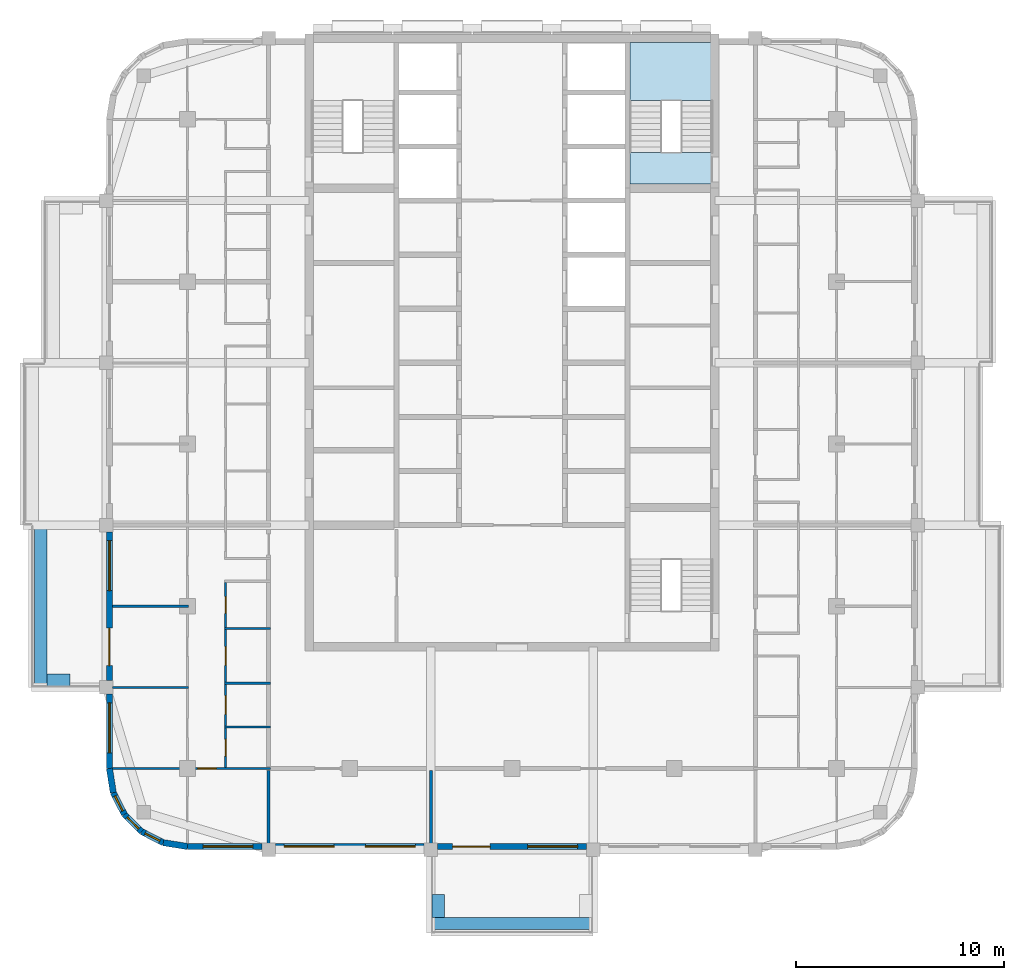
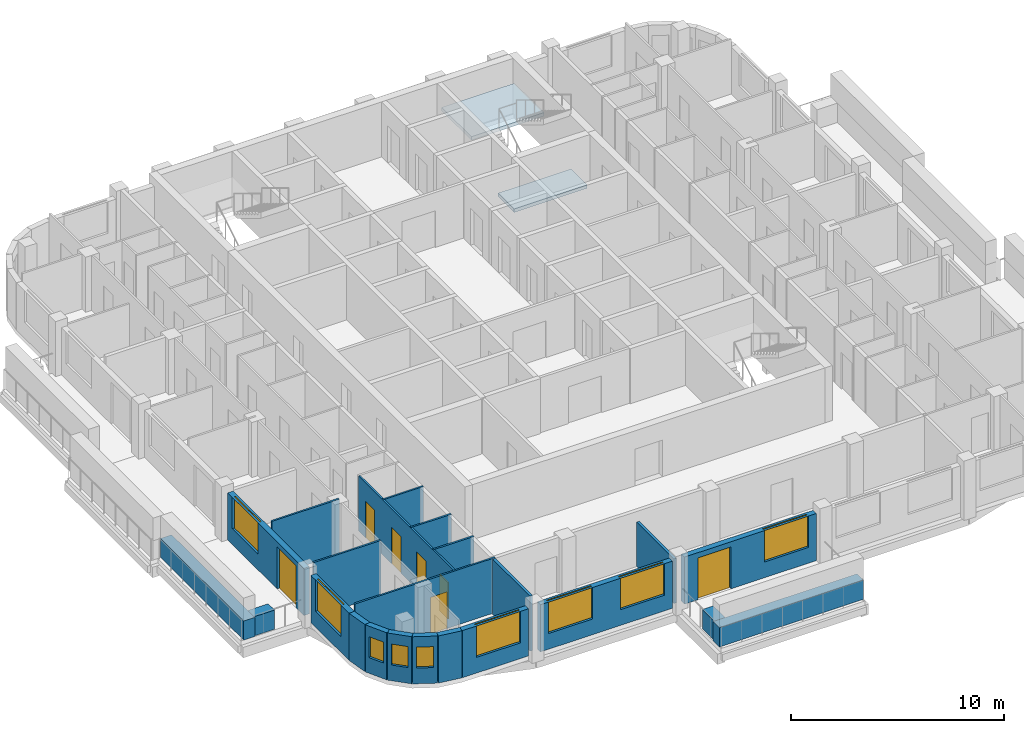
# One storey, part 2 of 13: 23 walls, 9 windows, 7 doors, 2 slabs, 16 openings, 1 element without a shape of its own.
"""IFC4 building model written with IfcOpenShell, lengths in metres."""

from ifc_helpers import new_model, si_unit, direction, frame, frame_2d, origin, place, context, subcontext, project, spatial, polyline, rectangle, outline, extrude, material, layer, layer_set, type_object, element, fill, aggregate, save


model = new_model("IFC4")

# Units and contexts
model_context = context("Model", 3, precision=1e-05, world=origin(), true_north=direction((0.0, 1.0)))
body_context = subcontext(model_context, "Body", "Model", "MODEL_VIEW")
ifc_project = project(units=[si_unit("LENGTHUNIT", "METRE"), si_unit("AREAUNIT", "SQUARE_METRE"), si_unit("VOLUMEUNIT", "CUBIC_METRE"), si_unit("PLANEANGLEUNIT", "RADIAN"), si_unit("MASSUNIT", "GRAM", prefix="KILO")], contexts=[model_context])

# Site, building, storey
site_placement = place(None, origin())
site = spatial("IfcSite", under=ifc_project, at=site_placement, CompositionType="ELEMENT")
building_placement = place(site_placement, origin())
building = spatial("IfcBuilding", under=site, at=building_placement, Name="Ludao Terraces", CompositionType="ELEMENT")
storey_placement = place(building_placement, frame((0.0, 0.0, 252.800048828125)))
storey = spatial("IfcBuildingStorey", under=building, at=storey_placement, Name="L69", CompositionType="ELEMENT", Elevation=252.800048828125)

# Stair, slabs
ifc_material_1 = material(Name="Concrete C40", Category="concrete")
stair_type = type_object("IfcStairType", Name="INT Stair", PredefinedType="HALF_TURN_STAIR", material=ifc_material_1)
stair_placement = place(storey_placement, origin())
stair = element("IfcStair", 1, at=stair_placement, inside=storey, type_object=stair_type, Name="EXIT STAIR 2", PredefinedType="HALF_TURN_STAIR")
ifc_layer_1 = layer(ifc_material_1, 0.199951171875)
ifc_layer_set_1 = layer_set([ifc_layer_1], Name="INT Stair landing 200")
slab_type = type_object("IfcSlabType", Name="INT Stair landing 200", PredefinedType="LANDING", material=ifc_layer_set_1)
slab_1_placement = place(storey_placement, frame((0.0, 0.0, 1.5)))
slab_1 = element("IfcSlab", 2, at=slab_1_placement, type_object=slab_type, Name="ST2 landing 1", PredefinedType="LANDING", context=body_context, shape_type="SweptSolid", body=[
    extrude(outline(polyline([(90.675048828125, 81.52001953125), (94.625, 81.52001953125), (94.625, 84.300048828125), (90.675048828125, 84.300048828125), (90.675048828125, 81.52001953125)])), origin(), (0.0, 0.0, 1.0), 0.199951171875),
])
slab_2_placement = place(storey_placement, frame((0.0, 0.0, -0.199951171875)))
slab_2 = element("IfcSlab", 3, at=slab_2_placement, type_object=slab_type, Name="ST2 landing 2", PredefinedType="LANDING", context=body_context, shape_type="SweptSolid", body=[
    extrude(outline(polyline([(90.675048828125, 77.5), (94.625, 77.5), (94.625, 79.0), (90.675048828125, 79.0), (90.675048828125, 77.5)])), origin(), (0.0, 0.0, 1.0), 0.199951171875),
])
aggregate(stair, [slab_1, slab_2])

# Walls
ifc_layer_2 = layer(ifc_material_1, 0.60009765625)
ifc_layer_set_2 = layer_set([ifc_layer_2], Name="ENV Planter trough 600")
wall_type_1 = type_object("IfcWallType", Name="ENV Planter trough 600", PredefinedType="USERDEFINED", material=ifc_layer_set_2)
wall_1_placement = place(storey_placement, frame((81.10009765625, 41.949951171875, 0.0), z_axis=(0.0, 0.0, 1.0), x_axis=(1.0, 0.0, 0.0)))
element("IfcWall", 4, at=wall_1_placement, inside=storey, type_object=wall_type_1, Name="PL-L69-S1", ObjectType="PLANTER", PredefinedType="USERDEFINED", context=body_context, shape_type="SweptSolid", body=[
    extrude(rectangle(XDim=7.7998046875, YDim=0.60009765625, at=frame_2d((3.89990234375, 0.0))), origin(), (0.0, 0.0, 1.0), 1.099853515625),
])
wall_2_placement = place(storey_placement, frame((81.449951171875, 42.25, 0.0), z_axis=(0.0, 0.0, 1.0), x_axis=(0.0, 1.0, 0.0)))
element("IfcWall", 5, at=wall_2_placement, inside=storey, type_object=wall_type_1, Name="PL-L69-S1-SA", ObjectType="PLANTER", PredefinedType="USERDEFINED", context=body_context, shape_type="SweptSolid", body=[
    extrude(rectangle(XDim=1.10009765625, YDim=0.60009765625, at=frame_2d((0.550048828125, 0.0))), origin(), (0.0, 0.0, 1.0), 1.099853515625),
])
wall_3_placement = place(storey_placement, frame((62.35009765625, 53.300048828125, 0.0), z_axis=(0.0, 0.0, 1.0), x_axis=(0.0, 1.0, 0.0)))
element("IfcWall", 6, at=wall_3_placement, inside=storey, type_object=wall_type_1, Name="PL-L69-W1", ObjectType="PLANTER", PredefinedType="USERDEFINED", context=body_context, shape_type="SweptSolid", body=[
    extrude(rectangle(XDim=7.800048828125, YDim=0.60009765625, at=frame_2d((3.89990234375, 0.0))), origin(), (0.0, 0.0, 1.0), 1.099853515625),
])
wall_4_placement = place(storey_placement, frame((62.64990234375, 53.64990234375, 0.0), z_axis=(0.0, 0.0, 1.0), x_axis=(1.0, 0.0, 0.0)))
element("IfcWall", 7, at=wall_4_placement, inside=storey, type_object=wall_type_1, Name="PL-L69-W1-SA", ObjectType="PLANTER", PredefinedType="USERDEFINED", context=body_context, shape_type="SweptSolid", body=[
    extrude(rectangle(XDim=1.10009765625, YDim=0.60009765625, at=frame_2d((0.550048828125, 0.0))), origin(), (0.0, 0.0, 1.0), 1.099853515625),
])

# Wall, opening, window
ifc_material_2 = material(Name="Granite cladding", Category="masonry")
ifc_layer_3 = layer(ifc_material_2, 0.0400390625, Category="stone")
ifc_material_3 = material(Name="Mineral wool")
ifc_layer_4 = layer(ifc_material_3, 0.06005859375)
ifc_layer_5 = layer(ifc_material_1, 0.199951171875, Category="concrete")
ifc_layer_set_3 = layer_set([ifc_layer_3, ifc_layer_4, ifc_layer_5], Name="ENV Stone-clad wall 300")
wall_type_2 = type_object("IfcWallType", Name="ENV Stone-clad wall 300", PredefinedType="SOLIDWALL", material=ifc_layer_set_3)
wall_5_placement = place(storey_placement, frame((69.39990234375, 45.64990234375, 0.0), z_axis=(0.0, 0.0, 1.0), x_axis=(1.0, 0.0, 0.0)))
wall_5 = element("IfcWall", 8, at=wall_5_placement, inside=storey, type_object=wall_type_2, Name="EW-L69-S1", PredefinedType="SOLIDWALL", context=body_context, shape_type="SweptSolid", body=[
    extrude(rectangle(XDim=3.5751953125, YDim=0.300048828125, at=frame_2d((1.78759765625, 0.0))), origin(), (0.0, 0.0, 1.0), 2.699951171875),
])
opening_1_placement = place(wall_5_placement, frame((0.75, 0.0, 0.89990234375)))
opening_1 = element("IfcOpeningElement", 9, at=opening_1_placement, cuts=wall_5, Name="Opening W1", PredefinedType="OPENING", context=body_context, shape_type="SweptSolid", body=[
    extrude(rectangle(XDim=2.39990234375, YDim=1.800048828125, at=frame_2d((1.199951171875, 0.89990234375))), frame((0.0, 0.16015625, 0.0), z_axis=(0.0, -1.0, 0.0), x_axis=(1.0, 0.0, 0.0)), (0.0, 0.0, 1.0), 0.320068359375),
])
ifc_material_4 = material(Name="Clear glass in aluminium frame", Category="aluminium")
ifc_layer_6 = layer(ifc_material_4, 0.06005859375)
ifc_layer_set_4 = layer_set([ifc_layer_6], Name="ENV Window W1 2400x1800")
window_type_1 = type_object("IfcWindowType", Name="ENV Window W1 2400x1800", PartitioningType="DOUBLE_PANEL_VERTICAL", PredefinedType="WINDOW", material=ifc_layer_set_4)
window_1_placement = place(opening_1_placement, origin())
window_1 = element("IfcWindow", 10, at=window_1_placement, inside=storey, type_object=window_type_1, Name="W-L69-S1-1", OverallHeight=1.800048828125, OverallWidth=2.39990234375, PartitioningType="DOUBLE_PANEL_VERTICAL", PredefinedType="WINDOW", context=body_context, shape_type="SweptSolid", body=[
    extrude(rectangle(XDim=2.39990234375, YDim=1.800048828125, at=frame_2d((1.199951171875, 0.89990234375))), frame((0.0, 0.030029296875, 0.0), z_axis=(0.0, -1.0, 0.0), x_axis=(1.0, 0.0, 0.0)), (0.0, 0.0, 1.0), 0.06005859375),
])
fill(opening_1, window_1)

# Wall, openings, windows
wall_6_placement = place(storey_placement, frame((73.625, 45.64990234375, 0.0), z_axis=(0.0, 0.0, 1.0), x_axis=(1.0, 0.0, 0.0)))
wall_6 = element("IfcWall", 11, at=wall_6_placement, inside=storey, type_object=wall_type_2, Name="EW-L69-S2", PredefinedType="SOLIDWALL", context=body_context, shape_type="SweptSolid", body=[
    extrude(rectangle(XDim=7.14990234375, YDim=0.300048828125, at=frame_2d((3.574951171875, 0.0))), origin(), (0.0, 0.0, 1.0), 2.699951171875),
])
opening_2_placement = place(wall_6_placement, frame((0.425048828125, 0.0, 0.89990234375)))
opening_2 = element("IfcOpeningElement", 12, at=opening_2_placement, cuts=wall_6, Name="Opening W1", PredefinedType="OPENING", context=body_context, shape_type="SweptSolid", body=[
    extrude(rectangle(XDim=2.39990234375, YDim=1.800048828125, at=frame_2d((1.199951171875, 0.89990234375))), frame((0.0, 0.16015625, 0.0), z_axis=(0.0, -1.0, 0.0), x_axis=(1.0, 0.0, 0.0)), (0.0, 0.0, 1.0), 0.320068359375),
])
opening_3_placement = place(wall_6_placement, frame((4.324951171875, 0.0, 0.89990234375)))
opening_3 = element("IfcOpeningElement", 13, at=opening_3_placement, cuts=wall_6, Name="Opening W1", PredefinedType="OPENING", context=body_context, shape_type="SweptSolid", body=[
    extrude(rectangle(XDim=2.39990234375, YDim=1.800048828125, at=frame_2d((1.199951171875, 0.89990234375))), frame((0.0, 0.16015625, 0.0), z_axis=(0.0, -1.0, 0.0), x_axis=(1.0, 0.0, 0.0)), (0.0, 0.0, 1.0), 0.320068359375),
])
window_2_placement = place(opening_2_placement, origin())
window_2 = element("IfcWindow", 14, at=window_2_placement, inside=storey, type_object=window_type_1, Name="W-L69-S2-1", OverallHeight=1.800048828125, OverallWidth=2.39990234375, PartitioningType="DOUBLE_PANEL_VERTICAL", PredefinedType="WINDOW", context=body_context, shape_type="SweptSolid", body=[
    extrude(rectangle(XDim=2.39990234375, YDim=1.800048828125, at=frame_2d((1.199951171875, 0.89990234375))), frame((0.0, 0.030029296875, 0.0), z_axis=(0.0, -1.0, 0.0), x_axis=(1.0, 0.0, 0.0)), (0.0, 0.0, 1.0), 0.06005859375),
])
fill(opening_2, window_2)
window_3_placement = place(opening_3_placement, origin())
window_3 = element("IfcWindow", 15, at=window_3_placement, inside=storey, type_object=window_type_1, Name="W-L69-S2-2", OverallHeight=1.800048828125, OverallWidth=2.39990234375, PartitioningType="DOUBLE_PANEL_VERTICAL", PredefinedType="WINDOW", context=body_context, shape_type="SweptSolid", body=[
    extrude(rectangle(XDim=2.39990234375, YDim=1.800048828125, at=frame_2d((1.199951171875, 0.89990234375))), frame((0.0, 0.030029296875, 0.0), z_axis=(0.0, -1.0, 0.0), x_axis=(1.0, 0.0, 0.0)), (0.0, 0.0, 1.0), 0.06005859375),
])
fill(opening_3, window_3)

# Wall, openings, door, window
wall_7_placement = place(storey_placement, frame((81.425048828125, 45.64990234375, 0.0), z_axis=(0.0, 0.0, 1.0), x_axis=(1.0, 0.0, 0.0)))
wall_7 = element("IfcWall", 16, at=wall_7_placement, inside=storey, type_object=wall_type_2, Name="EW-L69-S3", PredefinedType="SOLIDWALL", context=body_context, shape_type="SweptSolid", body=[
    extrude(rectangle(XDim=7.14990234375, YDim=0.300048828125, at=frame_2d((3.574951171875, 0.0))), origin(), (0.0, 0.0, 1.0), 2.699951171875),
])
opening_4_placement = place(wall_7_placement, frame((0.72509765625, 0.0, 0.0)))
opening_4 = element("IfcOpeningElement", 17, at=opening_4_placement, cuts=wall_7, Name="Opening BD", PredefinedType="OPENING", context=body_context, shape_type="SweptSolid", body=[
    extrude(rectangle(XDim=1.800048828125, YDim=2.39990234375, at=frame_2d((0.89990234375, 1.199951171875))), frame((0.0, 0.16015625, 0.0), z_axis=(0.0, -1.0, 0.0), x_axis=(1.0, 0.0, 0.0)), (0.0, 0.0, 1.0), 0.320068359375),
])
opening_5_placement = place(wall_7_placement, frame((4.324951171875, 0.0, 0.89990234375)))
opening_5 = element("IfcOpeningElement", 18, at=opening_5_placement, cuts=wall_7, Name="Opening W1", PredefinedType="OPENING", context=body_context, shape_type="SweptSolid", body=[
    extrude(rectangle(XDim=2.39990234375, YDim=1.800048828125, at=frame_2d((1.199951171875, 0.89990234375))), frame((0.0, 0.16015625, 0.0), z_axis=(0.0, -1.0, 0.0), x_axis=(1.0, 0.0, 0.0)), (0.0, 0.0, 1.0), 0.320068359375),
])
ifc_material_5 = material(Name="Aluminium glazed door", Category="aluminium")
ifc_layer_7 = layer(ifc_material_5, 0.06005859375)
ifc_layer_set_5 = layer_set([ifc_layer_7], Name="ENV Balcony door BD 1800x2400")
door_type_1 = type_object("IfcDoorType", Name="ENV Balcony door BD 1800x2400", OperationType="DOUBLE_DOOR_SINGLE_SWING", PredefinedType="DOOR", material=ifc_layer_set_5)
door_1_placement = place(opening_4_placement, origin())
door_1 = element("IfcDoor", 19, at=door_1_placement, inside=storey, type_object=door_type_1, Name="BD-L69-S3-1", OperationType="DOUBLE_DOOR_SINGLE_SWING", OverallHeight=2.39990234375, OverallWidth=1.800048828125, PredefinedType="DOOR", context=body_context, shape_type="SweptSolid", body=[
    extrude(rectangle(XDim=1.800048828125, YDim=2.39990234375, at=frame_2d((0.89990234375, 1.199951171875))), frame((0.0, 0.02490234375, 0.0), z_axis=(0.0, -1.0, 0.0), x_axis=(1.0, 0.0, 0.0)), (0.0, 0.0, 1.0), 0.050048828125),
])
fill(opening_4, door_1)
window_4_placement = place(opening_5_placement, origin())
window_4 = element("IfcWindow", 20, at=window_4_placement, inside=storey, type_object=window_type_1, Name="W-L69-S3-2", OverallHeight=1.800048828125, OverallWidth=2.39990234375, PartitioningType="DOUBLE_PANEL_VERTICAL", PredefinedType="WINDOW", context=body_context, shape_type="SweptSolid", body=[
    extrude(rectangle(XDim=2.39990234375, YDim=1.800048828125, at=frame_2d((1.199951171875, 0.89990234375))), frame((0.0, 0.030029296875, 0.0), z_axis=(0.0, -1.0, 0.0), x_axis=(1.0, 0.0, 0.0)), (0.0, 0.0, 1.0), 0.06005859375),
])
fill(opening_5, window_4)

# Wall, opening, window
wall_8_placement = place(storey_placement, frame((65.64990234375, 49.39990234375, 0.0), z_axis=(0.0, 0.0, 1.0), x_axis=(0.0, 1.0, 0.0)))
wall_8 = element("IfcWall", 21, at=wall_8_placement, inside=storey, type_object=wall_type_2, Name="EW-L69-W1", PredefinedType="SOLIDWALL", context=body_context, shape_type="SweptSolid", body=[
    extrude(rectangle(XDim=3.5751953125, YDim=0.300048828125, at=frame_2d((1.78759765625, 0.0))), origin(), (0.0, 0.0, 1.0), 2.699951171875),
])
opening_6_placement = place(wall_8_placement, frame((0.75, 0.0, 0.89990234375)))
opening_6 = element("IfcOpeningElement", 22, at=opening_6_placement, cuts=wall_8, Name="Opening W1", PredefinedType="OPENING", context=body_context, shape_type="SweptSolid", body=[
    extrude(rectangle(XDim=2.39990234375, YDim=1.800048828125, at=frame_2d((1.199951171875, 0.89990234375))), frame((0.0, 0.16015625, 0.0), z_axis=(0.0, -1.0, 0.0), x_axis=(1.0, 0.0, 0.0)), (0.0, 0.0, 1.0), 0.320068359375),
])
window_5_placement = place(opening_6_placement, origin())
window_5 = element("IfcWindow", 23, at=window_5_placement, inside=storey, type_object=window_type_1, Name="W-L69-W1-1", OverallHeight=1.800048828125, OverallWidth=2.39990234375, PartitioningType="DOUBLE_PANEL_VERTICAL", PredefinedType="WINDOW", context=body_context, shape_type="SweptSolid", body=[
    extrude(rectangle(XDim=2.39990234375, YDim=1.800048828125, at=frame_2d((1.199951171875, 0.89990234375))), frame((0.0, 0.030029296875, 0.0), z_axis=(0.0, -1.0, 0.0), x_axis=(1.0, 0.0, 0.0)), (0.0, 0.0, 1.0), 0.06005859375),
])
fill(opening_6, window_5)

# Wall, openings, door, window
wall_9_placement = place(storey_placement, frame((65.64990234375, 53.625, 0.0), z_axis=(0.0, 0.0, 1.0), x_axis=(0.0, 1.0, 0.0)))
wall_9 = element("IfcWall", 24, at=wall_9_placement, inside=storey, type_object=wall_type_2, Name="EW-L69-W2", PredefinedType="SOLIDWALL", context=body_context, shape_type="SweptSolid", body=[
    extrude(rectangle(XDim=7.14990234375, YDim=0.300048828125, at=frame_2d((3.574951171875, 0.0))), origin(), (0.0, 0.0, 1.0), 2.699951171875),
])
opening_7_placement = place(wall_9_placement, frame((0.72509765625, 0.0, 0.0)))
opening_7 = element("IfcOpeningElement", 25, at=opening_7_placement, cuts=wall_9, Name="Opening BD", PredefinedType="OPENING", context=body_context, shape_type="SweptSolid", body=[
    extrude(rectangle(XDim=1.800048828125, YDim=2.39990234375, at=frame_2d((0.89990234375, 1.199951171875))), frame((0.0, 0.16015625, 0.0), z_axis=(0.0, -1.0, 0.0), x_axis=(1.0, 0.0, 0.0)), (0.0, 0.0, 1.0), 0.320068359375),
])
opening_8_placement = place(wall_9_placement, frame((4.324951171875, 0.0, 0.89990234375)))
opening_8 = element("IfcOpeningElement", 26, at=opening_8_placement, cuts=wall_9, Name="Opening W1", PredefinedType="OPENING", context=body_context, shape_type="SweptSolid", body=[
    extrude(rectangle(XDim=2.39990234375, YDim=1.800048828125, at=frame_2d((1.199951171875, 0.89990234375))), frame((0.0, 0.16015625, 0.0), z_axis=(0.0, -1.0, 0.0), x_axis=(1.0, 0.0, 0.0)), (0.0, 0.0, 1.0), 0.320068359375),
])
door_2_placement = place(opening_7_placement, origin())
door_2 = element("IfcDoor", 27, at=door_2_placement, inside=storey, type_object=door_type_1, Name="BD-L69-W2-1", OperationType="DOUBLE_DOOR_SINGLE_SWING", OverallHeight=2.39990234375, OverallWidth=1.800048828125, PredefinedType="DOOR", context=body_context, shape_type="SweptSolid", body=[
    extrude(rectangle(XDim=1.800048828125, YDim=2.39990234375, at=frame_2d((0.89990234375, 1.199951171875))), frame((0.0, 0.02490234375, 0.0), z_axis=(0.0, -1.0, 0.0), x_axis=(1.0, 0.0, 0.0)), (0.0, 0.0, 1.0), 0.050048828125),
])
fill(opening_7, door_2)
window_6_placement = place(opening_8_placement, origin())
window_6 = element("IfcWindow", 28, at=window_6_placement, inside=storey, type_object=window_type_1, Name="W-L69-W2-2", OverallHeight=1.800048828125, OverallWidth=2.39990234375, PartitioningType="DOUBLE_PANEL_VERTICAL", PredefinedType="WINDOW", context=body_context, shape_type="SweptSolid", body=[
    extrude(rectangle(XDim=2.39990234375, YDim=1.800048828125, at=frame_2d((1.199951171875, 0.89990234375))), frame((0.0, 0.030029296875, 0.0), z_axis=(0.0, -1.0, 0.0), x_axis=(1.0, 0.0, 0.0)), (0.0, 0.0, 1.0), 0.06005859375),
])
fill(opening_8, window_6)

# Wall
wall_10_placement = place(storey_placement, frame((65.64990234375, 49.39990234375, 0.0), z_axis=(0.0, 0.0, 1.0), x_axis=(0.156496880861, -0.987678452879, 0.0)))
element("IfcWall", 29, at=wall_10_placement, inside=storey, type_object=wall_type_2, Name="EW-L69-SW1", PredefinedType="SOLIDWALL", context=body_context, shape_type="SweptSolid", body=[
    extrude(rectangle(XDim=1.173095703125, YDim=0.300048828125, at=frame_2d((0.58642578125, 0.0))), origin(), (0.0, 0.0, 1.0), 2.699951171875),
])

# Wall, opening, window
wall_11_placement = place(storey_placement, frame((65.83349609375, 48.2412109375, 0.0), z_axis=(0.0, 0.0, 1.0), x_axis=(0.454025524128, -0.890988677504, 0.0)))
wall_11 = element("IfcWall", 30, at=wall_11_placement, inside=storey, type_object=wall_type_2, Name="EW-L69-SW2", PredefinedType="SOLIDWALL", context=body_context, shape_type="SweptSolid", body=[
    extrude(rectangle(XDim=1.17333984375, YDim=0.300048828125, at=frame_2d((0.586669921875, 0.0))), origin(), (0.0, 0.0, 1.0), 2.699951171875),
])
opening_9_placement = place(wall_11_placement, frame((0.1865234375, 0.0, 0.89990234375)))
opening_9 = element("IfcOpeningElement", 31, at=opening_9_placement, cuts=wall_11, Name="Opening W3", PredefinedType="OPENING", context=body_context, shape_type="SweptSolid", body=[
    extrude(rectangle(XDim=0.800048828125, YDim=1.199951171875, at=frame_2d((0.39990234375, 0.60009765625))), frame((0.0, 0.16015625, 0.0), z_axis=(0.0, -1.0, 0.0), x_axis=(1.0, 0.0, 0.0)), (0.0, 0.0, 1.0), 0.320068359375),
])
ifc_layer_8 = layer(ifc_material_4, 0.06005859375)
ifc_layer_set_6 = layer_set([ifc_layer_8], Name="ENV Window W3 800x1200")
window_type_2 = type_object("IfcWindowType", Name="ENV Window W3 800x1200", PartitioningType="SINGLE_PANEL", PredefinedType="WINDOW", material=ifc_layer_set_6)
window_7_placement = place(opening_9_placement, origin())
window_7 = element("IfcWindow", 32, at=window_7_placement, inside=storey, type_object=window_type_2, Name="W-L69-SW2", OverallHeight=1.199951171875, OverallWidth=0.800048828125, PartitioningType="SINGLE_PANEL", PredefinedType="WINDOW", context=body_context, shape_type="SweptSolid", body=[
    extrude(rectangle(XDim=0.800048828125, YDim=1.199951171875, at=frame_2d((0.39990234375, 0.60009765625))), frame((0.0, 0.030029296875, 0.0), z_axis=(0.0, -1.0, 0.0), x_axis=(1.0, 0.0, 0.0)), (0.0, 0.0, 1.0), 0.06005859375),
])
fill(opening_9, window_7)

wall_12_placement = place(storey_placement, frame((66.3662109375, 47.19580078125, 0.0), z_axis=(0.0, 0.0, 1.0), x_axis=(0.707106781187, -0.707106781187, 0.0)))
wall_12 = element("IfcWall", 33, at=wall_12_placement, inside=storey, type_object=wall_type_2, Name="EW-L69-SW3", PredefinedType="SOLIDWALL", context=body_context, shape_type="SweptSolid", body=[
    extrude(rectangle(XDim=1.173095703125, YDim=0.300048828125, at=frame_2d((0.58642578125, 0.0))), origin(), (0.0, 0.0, 1.0), 2.699951171875),
])
opening_10_placement = place(wall_12_placement, frame((0.1865234375, 0.0, 0.89990234375)))
opening_10 = element("IfcOpeningElement", 34, at=opening_10_placement, cuts=wall_12, Name="Opening W3", PredefinedType="OPENING", context=body_context, shape_type="SweptSolid", body=[
    extrude(rectangle(XDim=0.800048828125, YDim=1.199951171875, at=frame_2d((0.39990234375, 0.60009765625))), frame((0.0, 0.16015625, 0.0), z_axis=(0.0, -1.0, 0.0), x_axis=(1.0, 0.0, 0.0)), (0.0, 0.0, 1.0), 0.320068359375),
])
window_8_placement = place(opening_10_placement, origin())
window_8 = element("IfcWindow", 35, at=window_8_placement, inside=storey, type_object=window_type_2, Name="W-L69-SW3", OverallHeight=1.199951171875, OverallWidth=0.800048828125, PartitioningType="SINGLE_PANEL", PredefinedType="WINDOW", context=body_context, shape_type="SweptSolid", body=[
    extrude(rectangle(XDim=0.800048828125, YDim=1.199951171875, at=frame_2d((0.39990234375, 0.60009765625))), frame((0.0, 0.030029296875, 0.0), z_axis=(0.0, -1.0, 0.0), x_axis=(1.0, 0.0, 0.0)), (0.0, 0.0, 1.0), 0.06005859375),
])
fill(opening_10, window_8)

wall_13_placement = place(storey_placement, frame((67.19580078125, 46.3662109375, 0.0), z_axis=(0.0, 0.0, 1.0), x_axis=(0.890988677504, -0.454025524128, 0.0)))
wall_13 = element("IfcWall", 36, at=wall_13_placement, inside=storey, type_object=wall_type_2, Name="EW-L69-SW4", PredefinedType="SOLIDWALL", context=body_context, shape_type="SweptSolid", body=[
    extrude(rectangle(XDim=1.17333984375, YDim=0.300048828125, at=frame_2d((0.586669921875, 0.0))), origin(), (0.0, 0.0, 1.0), 2.699951171875),
])
opening_11_placement = place(wall_13_placement, frame((0.1865234375, 0.0, 0.89990234375)))
opening_11 = element("IfcOpeningElement", 37, at=opening_11_placement, cuts=wall_13, Name="Opening W3", PredefinedType="OPENING", context=body_context, shape_type="SweptSolid", body=[
    extrude(rectangle(XDim=0.800048828125, YDim=1.199951171875, at=frame_2d((0.39990234375, 0.60009765625))), frame((0.0, 0.16015625, 0.0), z_axis=(0.0, -1.0, 0.0), x_axis=(1.0, 0.0, 0.0)), (0.0, 0.0, 1.0), 0.320068359375),
])
window_9_placement = place(opening_11_placement, origin())
window_9 = element("IfcWindow", 38, at=window_9_placement, inside=storey, type_object=window_type_2, Name="W-L69-SW4", OverallHeight=1.199951171875, OverallWidth=0.800048828125, PartitioningType="SINGLE_PANEL", PredefinedType="WINDOW", context=body_context, shape_type="SweptSolid", body=[
    extrude(rectangle(XDim=0.800048828125, YDim=1.199951171875, at=frame_2d((0.39990234375, 0.60009765625))), frame((0.0, 0.030029296875, 0.0), z_axis=(0.0, -1.0, 0.0), x_axis=(1.0, 0.0, 0.0)), (0.0, 0.0, 1.0), 0.06005859375),
])
fill(opening_11, window_9)

# Wall
wall_14_placement = place(storey_placement, frame((68.2412109375, 45.83349609375, 0.0), z_axis=(0.0, 0.0, 1.0), x_axis=(0.987678452879, -0.156496880861, 0.0)))
element("IfcWall", 39, at=wall_14_placement, inside=storey, type_object=wall_type_2, Name="EW-L69-SW5", PredefinedType="SOLIDWALL", context=body_context, shape_type="SweptSolid", body=[
    extrude(rectangle(XDim=1.173095703125, YDim=0.300048828125, at=frame_2d((0.58642578125, 0.0))), origin(), (0.0, 0.0, 1.0), 2.699951171875),
])

# Wall, opening, door
ifc_material_6 = material(Name="Gypsum plasterboard", Category="gypsum")
ifc_layer_9 = layer(ifc_material_6, 0.012451171875, Category="gypsum")
ifc_layer_10 = layer(ifc_material_3, 0.06005859375, Name="insulation")
ifc_material_7 = material(Name="Steel Q235", Category="steel")
ifc_layer_11 = layer(ifc_material_7, 0.014892578125, Name="stud")
ifc_layer_12 = layer(ifc_material_6, 0.012451171875, Category="gypsum")
ifc_layer_set_7 = layer_set([ifc_layer_9, ifc_layer_10, ifc_layer_11, ifc_layer_12], Name="INT Partition 100")
wall_type_3 = type_object("IfcWallType", Name="INT Partition 100", PredefinedType="PARTITIONING", material=ifc_layer_set_7)
wall_15_placement = place(storey_placement, frame((65.800048828125, 49.39990234375, 0.0), z_axis=(0.0, 0.0, 1.0), x_axis=(1.0, 0.0, 0.0)))
wall_15 = element("IfcWall", 40, at=wall_15_placement, inside=storey, type_object=wall_type_3, Name="PW-L69-PW000", PredefinedType="PARTITIONING", context=body_context, shape_type="SweptSolid", body=[
    extrude(rectangle(XDim=7.60009765625, YDim=0.10009765625, at=frame_2d((3.800048828125, 0.0))), origin(), (0.0, 0.0, 1.0), 3.14990234375),
])
opening_12_placement = place(wall_15_placement, frame((4.090087890625, 0.0, 0.0)))
opening_12 = element("IfcOpeningElement", 41, at=opening_12_placement, cuts=wall_15, Name="Opening R25-003", PredefinedType="OPENING", context=body_context, shape_type="SweptSolid", body=[
    extrude(rectangle(XDim=0.89990234375, YDim=2.10009765625, at=frame_2d((0.449951171875, 1.050048828125))), frame((0.0, 0.06005859375, 0.0), z_axis=(0.0, -1.0, 0.0), x_axis=(1.0, 0.0, 0.0)), (0.0, 0.0, 1.0), 0.1201171875),
])
ifc_material_8 = material(Name="Timber door leaf", Category="wood")
door_type_2 = type_object("IfcDoorType", Name="INT Room door 900", OperationType="SINGLE_SWING_LEFT", PredefinedType="DOOR", material=ifc_material_8)
door_3_placement = place(opening_12_placement, origin())
door_3 = element("IfcDoor", 42, at=door_3_placement, inside=storey, type_object=door_type_2, Name="DOOR 003", OperationType="SINGLE_SWING_RIGHT", OverallHeight=2.10009765625, OverallWidth=0.89990234375, PredefinedType="DOOR", context=body_context, shape_type="SweptSolid", body=[
    extrude(rectangle(XDim=0.89990234375, YDim=2.10009765625, at=frame_2d((0.449951171875, 1.050048828125))), frame((0.0, 0.02490234375, 0.0), z_axis=(0.0, -1.0, 0.0), x_axis=(1.0, 0.0, 0.0)), (0.0, 0.0, 1.0), 0.050048828125),
])
fill(opening_12, door_3)

# Walls
wall_16_placement = place(storey_placement, frame((71.18017578125, 51.39990234375, 0.0), z_axis=(0.0, 0.0, 1.0), x_axis=(1.0, 0.0, 0.0)))
element("IfcWall", 43, at=wall_16_placement, inside=storey, type_object=wall_type_3, Name="PW-L69-PW003", PredefinedType="PARTITIONING", context=body_context, shape_type="SweptSolid", body=[
    extrude(rectangle(XDim=2.219970703125, YDim=0.10009765625, at=frame_2d((1.10986328125, 0.0))), origin(), (0.0, 0.0, 1.0), 3.14990234375),
])
wall_17_placement = place(storey_placement, frame((65.800048828125, 53.300048828125, 0.0), z_axis=(0.0, 0.0, 1.0), x_axis=(1.0, 0.0, 0.0)))
element("IfcWall", 44, at=wall_17_placement, inside=storey, type_object=wall_type_3, Name="PW-L69-PW005", PredefinedType="PARTITIONING", context=body_context, shape_type="SweptSolid", body=[
    extrude(rectangle(XDim=3.650146484375, YDim=0.10009765625, at=frame_2d((1.8251953125, 0.0))), origin(), (0.0, 0.0, 1.0), 3.14990234375),
])
for number, where, z_axis, x_axis, name in (
    (45, (71.18017578125, 53.5, 0.0), (0.0, 0.0, 1.0), (1.0, 0.0, 0.0), "PW-L69-PW007"),
    (46, (71.18017578125, 56.1201171875, 0.0), (0.0, 0.0, 1.0), (1.0, 0.0, 0.0), "PW-L69-PW010"),
):
    element("IfcWall", number, at=place(storey_placement, frame(where, z_axis=z_axis, x_axis=x_axis)), inside=storey, type_object=wall_type_3, Name=name, PredefinedType="PARTITIONING", context=body_context, shape_type="SweptSolid", body=[
        extrude(rectangle(XDim=2.219970703125, YDim=0.10009765625, at=frame_2d((1.10986328125, 0.0))), origin(), (0.0, 0.0, 1.0), 3.14990234375),
    ])
wall_18_placement = place(storey_placement, frame((65.800048828125, 57.199951171875, 0.0), z_axis=(0.0, 0.0, 1.0), x_axis=(1.0, 0.0, 0.0)))
element("IfcWall", 47, at=wall_18_placement, inside=storey, type_object=wall_type_3, Name="PW-L69-PW011", PredefinedType="PARTITIONING", context=body_context, shape_type="SweptSolid", body=[
    extrude(rectangle(XDim=3.650146484375, YDim=0.10009765625, at=frame_2d((1.8251953125, 0.0))), origin(), (0.0, 0.0, 1.0), 3.14990234375),
])

# Wall, openings, doors
wall_19_placement = place(storey_placement, frame((71.22998046875, 49.4501953125, 0.0), z_axis=(0.0, 0.0, 1.0), x_axis=(0.0, 1.0, 0.0)))
wall_19 = element("IfcWall", 48, at=wall_19_placement, inside=storey, type_object=wall_type_3, Name="PW-L69-PW051", PredefinedType="PARTITIONING", context=body_context, shape_type="SweptSolid", body=[
    extrude(rectangle(XDim=8.89990234375, YDim=0.10009765625, at=frame_2d((4.449951171875, 0.0))), origin(), (0.0, 0.0, 1.0), 3.14990234375),
])
opening_13_placement = place(wall_19_placement, frame((0.5498046875, 0.0, 0.0)))
opening_13 = element("IfcOpeningElement", 49, at=opening_13_placement, cuts=wall_19, Name="Opening R25-007", PredefinedType="OPENING", context=body_context, shape_type="SweptSolid", body=[
    extrude(rectangle(XDim=0.800048828125, YDim=2.10009765625, at=frame_2d((0.39990234375, 1.050048828125))), frame((0.0, 0.06005859375, 0.0), z_axis=(0.0, -1.0, 0.0), x_axis=(1.0, 0.0, 0.0)), (0.0, 0.0, 1.0), 0.1201171875),
])
opening_14_placement = place(wall_19_placement, frame((2.5498046875, 0.0, 0.0)))
opening_14 = element("IfcOpeningElement", 50, at=opening_14_placement, cuts=wall_19, Name="Opening R25-011", PredefinedType="OPENING", context=body_context, shape_type="SweptSolid", body=[
    extrude(rectangle(XDim=0.89990234375, YDim=2.10009765625, at=frame_2d((0.449951171875, 1.050048828125))), frame((0.0, 0.06005859375, 0.0), z_axis=(0.0, -1.0, 0.0), x_axis=(1.0, 0.0, 0.0)), (0.0, 0.0, 1.0), 0.1201171875),
])
opening_15_placement = place(wall_19_placement, frame((4.909912109375, 0.0, 0.0)))
opening_15 = element("IfcOpeningElement", 51, at=opening_15_placement, cuts=wall_19, Name="Opening R25-013", PredefinedType="OPENING", context=body_context, shape_type="SweptSolid", body=[
    extrude(rectangle(XDim=0.89990234375, YDim=2.10009765625, at=frame_2d((0.449951171875, 1.050048828125))), frame((0.0, 0.06005859375, 0.0), z_axis=(0.0, -1.0, 0.0), x_axis=(1.0, 0.0, 0.0)), (0.0, 0.0, 1.0), 0.1201171875),
])
opening_16_placement = place(wall_19_placement, frame((7.409912109375, 0.0, 0.0)))
opening_16 = element("IfcOpeningElement", 52, at=opening_16_placement, cuts=wall_19, Name="Opening R25-021", PredefinedType="OPENING", context=body_context, shape_type="SweptSolid", body=[
    extrude(rectangle(XDim=0.800048828125, YDim=2.10009765625, at=frame_2d((0.39990234375, 1.050048828125))), frame((0.0, 0.06005859375, 0.0), z_axis=(0.0, -1.0, 0.0), x_axis=(1.0, 0.0, 0.0)), (0.0, 0.0, 1.0), 0.1201171875),
])
door_type_3 = type_object("IfcDoorType", Name="INT Bathroom door 900", OperationType="SINGLE_SWING_LEFT", PredefinedType="DOOR", material=ifc_material_8)
door_4_placement = place(opening_14_placement, origin())
door_4 = element("IfcDoor", 53, at=door_4_placement, inside=storey, type_object=door_type_3, Name="DOOR 011", OperationType="SINGLE_SWING_RIGHT", OverallHeight=2.10009765625, OverallWidth=0.89990234375, PredefinedType="DOOR", context=body_context, shape_type="SweptSolid", body=[
    extrude(rectangle(XDim=0.89990234375, YDim=2.10009765625, at=frame_2d((0.449951171875, 1.050048828125))), frame((0.0, 0.02490234375, 0.0), z_axis=(0.0, -1.0, 0.0), x_axis=(1.0, 0.0, 0.0)), (0.0, 0.0, 1.0), 0.050048828125),
])
fill(opening_14, door_4)
door_5_placement = place(opening_15_placement, origin())
door_5 = element("IfcDoor", 54, at=door_5_placement, inside=storey, type_object=door_type_2, Name="DOOR 013", OperationType="SINGLE_SWING_LEFT", OverallHeight=2.10009765625, OverallWidth=0.89990234375, PredefinedType="DOOR", context=body_context, shape_type="SweptSolid", body=[
    extrude(rectangle(XDim=0.89990234375, YDim=2.10009765625, at=frame_2d((0.449951171875, 1.050048828125))), frame((0.0, 0.02490234375, 0.0), z_axis=(0.0, -1.0, 0.0), x_axis=(1.0, 0.0, 0.0)), (0.0, 0.0, 1.0), 0.050048828125),
])
fill(opening_15, door_5)
door_type_4 = type_object("IfcDoorType", Name="INT Store door 800", OperationType="SINGLE_SWING_LEFT", PredefinedType="DOOR", material=ifc_material_8)
door_6_placement = place(opening_13_placement, origin())
door_6 = element("IfcDoor", 55, at=door_6_placement, inside=storey, type_object=door_type_4, Name="DOOR 007", OperationType="SINGLE_SWING_RIGHT", OverallHeight=2.10009765625, OverallWidth=0.800048828125, PredefinedType="DOOR", context=body_context, shape_type="SweptSolid", body=[
    extrude(rectangle(XDim=0.800048828125, YDim=2.10009765625, at=frame_2d((0.39990234375, 1.050048828125))), frame((0.0, 0.02490234375, 0.0), z_axis=(0.0, -1.0, 0.0), x_axis=(1.0, 0.0, 0.0)), (0.0, 0.0, 1.0), 0.050048828125),
])
fill(opening_13, door_6)
door_7_placement = place(opening_16_placement, origin())
door_7 = element("IfcDoor", 56, at=door_7_placement, inside=storey, type_object=door_type_4, Name="DOOR 021", OperationType="SINGLE_SWING_RIGHT", OverallHeight=2.10009765625, OverallWidth=0.800048828125, PredefinedType="DOOR", context=body_context, shape_type="SweptSolid", body=[
    extrude(rectangle(XDim=0.800048828125, YDim=2.10009765625, at=frame_2d((0.39990234375, 1.050048828125))), frame((0.0, 0.02490234375, 0.0), z_axis=(0.0, -1.0, 0.0), x_axis=(1.0, 0.0, 0.0)), (0.0, 0.0, 1.0), 0.050048828125),
])
fill(opening_16, door_7)

# Walls
ifc_material_9 = material(Name="Autoclaved aerated concrete block B06 A3.5", Category="concrete")
ifc_layer_13 = layer(ifc_material_9, 0.14990234375)
ifc_layer_set_8 = layer_set([ifc_layer_13], Name="INT Party wall 150")
wall_type_4 = type_object("IfcWallType", Name="INT Party wall 150", PredefinedType="PARTITIONING", material=ifc_layer_set_8)
wall_20_placement = place(storey_placement, frame((73.300048828125, 45.800048828125, 0.0), z_axis=(0.0, 0.0, 1.0), x_axis=(0.0, 1.0, 0.0)))
element("IfcWall", 57, at=wall_20_placement, inside=storey, type_object=wall_type_4, Name="PW-L69-PW055", PredefinedType="PARTITIONING", context=body_context, shape_type="SweptSolid", body=[
    extrude(rectangle(XDim=3.5, YDim=0.14990234375, at=frame_2d((1.75, 0.0))), origin(), (0.0, 0.0, 1.0), 3.14990234375),
])
wall_21_placement = place(storey_placement, frame((81.10009765625, 45.800048828125, 0.0), z_axis=(0.0, 0.0, 1.0), x_axis=(0.0, 1.0, 0.0)))
element("IfcWall", 58, at=wall_21_placement, inside=storey, type_object=wall_type_4, Name="PW-L69-PW058", PredefinedType="PARTITIONING", context=body_context, shape_type="SweptSolid", body=[
    extrude(rectangle(XDim=3.5, YDim=0.14990234375, at=frame_2d((1.75, 0.0))), origin(), (0.0, 0.0, 1.0), 2.5498046875),
])

save(model, "model.ifc")
